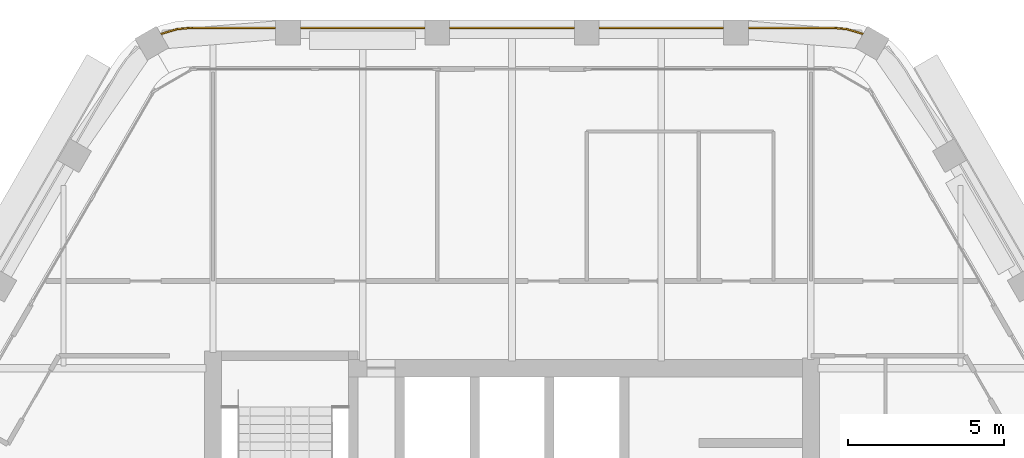
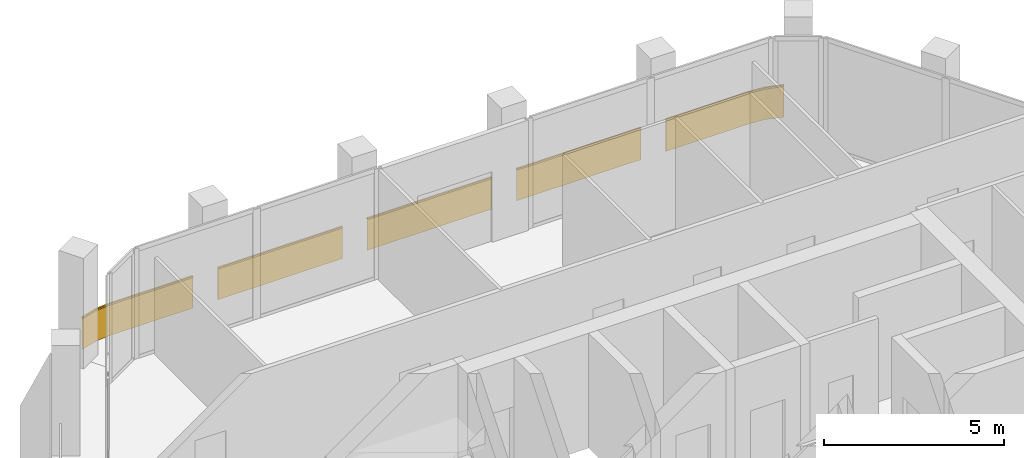
# One storey, part 13 of 13: 1 railing.
"""IFC4 building model written with IfcOpenShell, lengths in metres."""

from ifc_helpers import new_model, si_unit, direction, frame, frame_2d, origin, origin_2d, place, context, subcontext, project, spatial, rectangle, extrude, material, type_object, element, save


model = new_model("IFC4")

# Units and contexts
model_context = context("Model", 3, precision=1e-05, world=origin(), true_north=direction((0.0, 1.0)))
body_context = subcontext(model_context, "Body", "Model", "MODEL_VIEW")
ifc_project = project(units=[si_unit("LENGTHUNIT", "METRE"), si_unit("AREAUNIT", "SQUARE_METRE"), si_unit("VOLUMEUNIT", "CUBIC_METRE"), si_unit("PLANEANGLEUNIT", "RADIAN"), si_unit("MASSUNIT", "GRAM", prefix="KILO")], contexts=[model_context])

# Site, building, storey
site_placement = place(None, origin())
site = spatial("IfcSite", under=ifc_project, at=site_placement, CompositionType="ELEMENT")
building_placement = place(site_placement, origin())
building = spatial("IfcBuilding", under=site, at=building_placement, Name="Kolab Exchange Tower", CompositionType="ELEMENT")
storey_placement = place(building_placement, frame((0.0, 0.0, 257.89990234375)))
storey = spatial("IfcBuildingStorey", under=building, at=storey_placement, Name="L57", CompositionType="ELEMENT", Elevation=257.89990234375)

# Railing
ifc_material = material(Name="Steel S235", Category="steel")
railing_type = type_object("IfcRailingType", Name="GUARD 1100 GLASS BALUSTRADE AND STEEL TOP RAIL", PredefinedType="GUARDRAIL", material=ifc_material)
railing_placement = place(storey_placement, frame((11.280517578125, 20.335205078125, 0.0)))
element("IfcRailing", 1, at=railing_placement, inside=storey, type_object=railing_type, Name="Guard", PredefinedType="GUARDRAIL", context=body_context, shape_type="SweptSolid", body=[
    extrude(rectangle(XDim=0.05, YDim=0.05, at=origin_2d()), frame((0.0, 0.0, 1.0751953125), z_axis=(-0.959212061764, 0.282687496304, 0.0), x_axis=(-0.282687496304, -0.959212061764, 0.0)), (0.0, 0.0, 1.0), 0.557861328125),
    extrude(rectangle(XDim=0.012, YDim=1.05009765625, at=frame_2d((0.0, 0.525146484375))), frame((0.0, 0.0, 0.0), z_axis=(-0.959212061764, 0.282687496304, 0.0), x_axis=(-0.282687496304, -0.959212061764, 0.0)), (0.0, 0.0, 1.0), 0.557861328125),
    extrude(rectangle(XDim=0.05, YDim=0.05, at=origin_2d()), frame((-0.53515625, 0.15771484375, 1.0751953125), z_axis=(-0.996196482496, 0.087135344505, 0.0), x_axis=(-0.087135344505, -0.996196482496, 0.0)), (0.0, 0.0, 1.0), 0.47900390625),
    extrude(rectangle(XDim=0.012, YDim=1.05009765625, at=frame_2d((0.0, 0.525146484375))), frame((-0.53515625, 0.15771484375, 0.0), z_axis=(-0.996196482496, 0.087135344505, 0.0), x_axis=(-0.087135344505, -0.996196482496, 0.0)), (0.0, 0.0, 1.0), 0.47900390625),
    extrude(rectangle(XDim=0.05, YDim=0.05, at=origin_2d()), frame((-1.012451171875, 0.199462890625, 1.0751953125), z_axis=(-1.0, 0.0, 0.0), x_axis=(0.0, -1.0, 0.0)), (0.0, 0.0, 1.0), 2.66796875),
    extrude(rectangle(XDim=0.012, YDim=1.05009765625, at=frame_2d((0.0, 0.525146484375))), frame((-1.012451171875, 0.199462890625, 0.0), z_axis=(-1.0, 0.0, 0.0), x_axis=(0.0, -1.0, 0.0)), (0.0, 0.0, 1.0), 2.66796875),
    extrude(rectangle(XDim=0.05, YDim=0.05, at=origin_2d()), frame((-4.48046875, 0.199462890625, 1.0751953125), z_axis=(-1.0, 0.0, 0.0), x_axis=(0.0, -1.0, 0.0)), (0.0, 0.0, 1.0), 4.0),
    extrude(rectangle(XDim=0.012, YDim=1.05009765625, at=frame_2d((0.0, 0.525146484375))), frame((-4.48046875, 0.199462890625, 0.0), z_axis=(-1.0, 0.0, 0.0), x_axis=(0.0, -1.0, 0.0)), (0.0, 0.0, 1.0), 4.0),
    extrude(rectangle(XDim=0.05, YDim=0.05, at=origin_2d()), frame((-9.280517578125, 0.199462890625, 1.0751953125), z_axis=(-1.0, 0.0, 0.0), x_axis=(0.0, -1.0, 0.0)), (0.0, 0.0, 1.0), 4.0),
    extrude(rectangle(XDim=0.012, YDim=1.05009765625, at=frame_2d((0.0, 0.525146484375))), frame((-9.280517578125, 0.199462890625, 0.0), z_axis=(-1.0, 0.0, 0.0), x_axis=(0.0, -1.0, 0.0)), (0.0, 0.0, 1.0), 4.0),
    extrude(rectangle(XDim=0.05, YDim=0.05, at=origin_2d()), frame((-14.08056640625, 0.199462890625, 1.0751953125), z_axis=(-1.0, 0.0, 0.0), x_axis=(0.0, -1.0, 0.0)), (0.0, 0.0, 1.0), 4.0),
    extrude(rectangle(XDim=0.012, YDim=1.05009765625, at=frame_2d((0.0, 0.525146484375))), frame((-14.08056640625, 0.199462890625, 0.0), z_axis=(-1.0, 0.0, 0.0), x_axis=(0.0, -1.0, 0.0)), (0.0, 0.0, 1.0), 4.0),
    extrude(rectangle(XDim=0.05, YDim=0.05, at=origin_2d()), frame((-18.880615234375, 0.199462890625, 1.0751953125), z_axis=(-1.0, 0.0, 0.0), x_axis=(0.0, -1.0, 0.0)), (0.0, 0.0, 1.0), 2.66796875),
    extrude(rectangle(XDim=0.012, YDim=1.05009765625, at=frame_2d((0.0, 0.525146484375))), frame((-18.880615234375, 0.199462890625, 0.0), z_axis=(-1.0, 0.0, 0.0), x_axis=(0.0, -1.0, 0.0)), (0.0, 0.0, 1.0), 2.66796875),
    extrude(rectangle(XDim=0.05, YDim=0.05, at=origin_2d()), frame((-21.548583984375, 0.199462890625, 1.0751953125), z_axis=(-0.996196482496, -0.087135344505, 0.0), x_axis=(0.087135344505, -0.996196482496, 0.0)), (0.0, 0.0, 1.0), 0.47900390625),
    extrude(rectangle(XDim=0.012, YDim=1.05009765625, at=frame_2d((0.0, 0.525146484375))), frame((-21.548583984375, 0.199462890625, 0.0), z_axis=(-0.996196482496, -0.087135344505, 0.0), x_axis=(0.087135344505, -0.996196482496, 0.0)), (0.0, 0.0, 1.0), 0.47900390625),
    extrude(rectangle(XDim=0.05, YDim=0.05, at=origin_2d()), frame((-22.02587890625, 0.15771484375, 1.0751953125), z_axis=(-0.959212061764, -0.282687496304, 0.0), x_axis=(0.282687496304, -0.959212061764, 0.0)), (0.0, 0.0, 1.0), 0.557861328125),
    extrude(rectangle(XDim=0.012, YDim=1.05009765625, at=frame_2d((0.0, 0.525146484375))), frame((-22.02587890625, 0.15771484375, 0.0), z_axis=(-0.959212061764, -0.282687496304, 0.0), x_axis=(0.282687496304, -0.959212061764, 0.0)), (0.0, 0.0, 1.0), 0.557861328125),
])

save(model, "model.ifc")
